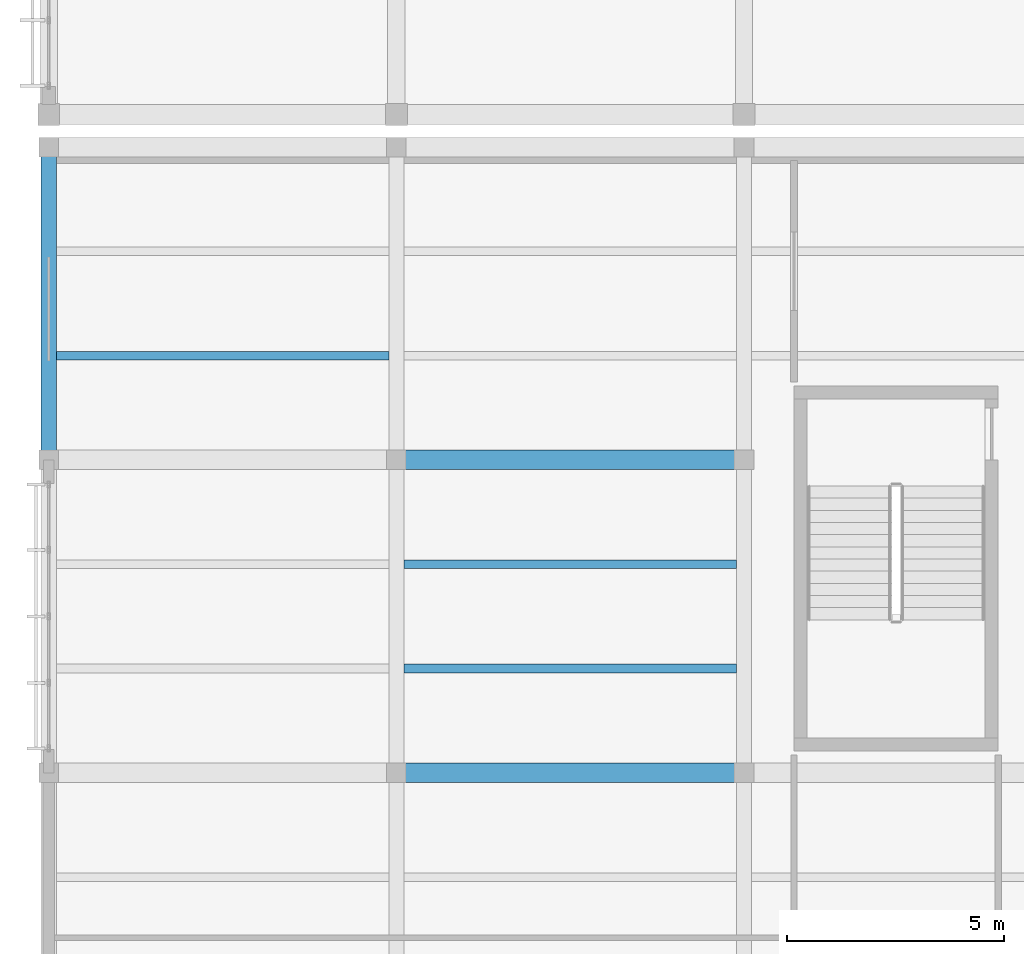
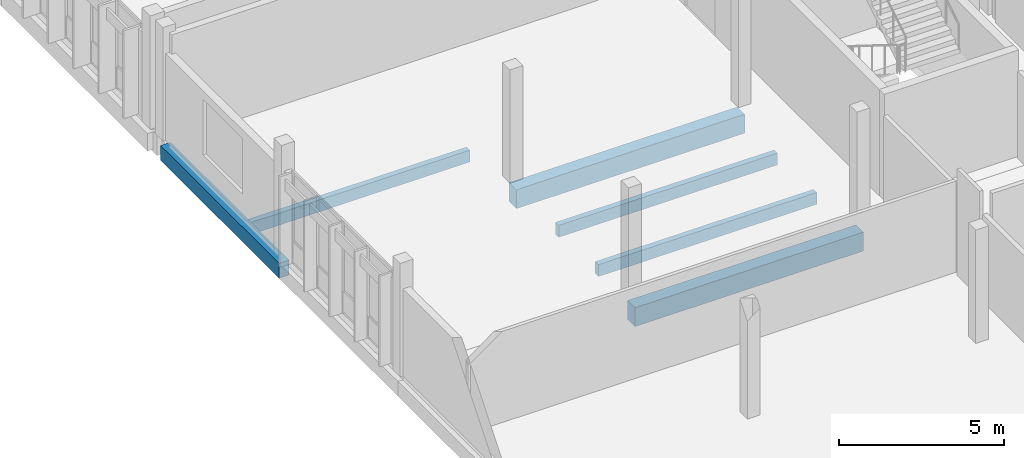
# One storey, part 71 of 182: 6 beams.
"""IFC4 building model written with IfcOpenShell, lengths in metres."""

from ifc_helpers import new_model, si_unit, direction, frame, origin, origin_2d, place, context, subcontext, project, spatial, rectangle, extrude, material, material_profile, profile_set, type_object, element, save


model = new_model("IFC4")

# Units and contexts
model_context = context("Model", 3, precision=1e-05, world=origin(), true_north=direction((0.0, 1.0)))
body_context = subcontext(model_context, "Body", "Model", "MODEL_VIEW")
ifc_project = project(units=[si_unit("LENGTHUNIT", "METRE"), si_unit("AREAUNIT", "SQUARE_METRE"), si_unit("VOLUMEUNIT", "CUBIC_METRE"), si_unit("PLANEANGLEUNIT", "RADIAN"), si_unit("MASSUNIT", "GRAM", prefix="KILO")], contexts=[model_context])

# Site, building, storey
site_placement = place(None, origin())
site = spatial("IfcSite", under=ifc_project, at=site_placement, CompositionType="ELEMENT")
building_placement = place(site_placement, origin())
building = spatial("IfcBuilding", under=site, at=building_placement, Name="Chiffa Square Polytechnic", CompositionType="ELEMENT")
storey_placement = place(building_placement, frame((0.0, 0.0, 9.60009765625)))
storey = spatial("IfcBuildingStorey", under=building, at=storey_placement, Name="L02", CompositionType="ELEMENT", Elevation=9.60009765625)

# Beams
ifc_material_1 = material(Name="Concrete C35/45", Category="concrete")
ifc_material_profile_1 = material_profile(ifc_material_1, rectangle(XDim=0.35009765625, YDim=0.550048828125, at=origin_2d()), Name="RC 350x550")
ifc_profile_set_1 = profile_set([ifc_material_profile_1], Name="Concrete C35/45")
beam_type_1 = type_object("IfcBeamType", Name="BM-RC-350X550", PredefinedType="BEAM", material=ifc_profile_set_1)
beam_placement = place(storey_placement, frame((0.0, 87.0, -0.59521484375), z_axis=(0.0, 1.0, 0.0), x_axis=(-1.0, 0.0, 0.0)))
element("IfcBeam", 1, at=beam_placement, inside=storey, type_object=beam_type_1, Name="Primary floor girder BM-V6-L02-Y-0000-0870", PredefinedType="BEAM", context=body_context, shape_type="SweptSolid", body=[
    extrude(rectangle(XDim=0.35009765625, YDim=0.550048828125, at=origin_2d()), origin(), (0.0, 0.0, 1.0), 7.199951171875),
])
ifc_material_profile_2 = material_profile(ifc_material_1, rectangle(XDim=0.449951171875, YDim=0.699951171875, at=origin_2d()), Name="RC 450x700")
ifc_profile_set_2 = profile_set([ifc_material_profile_2], Name="Concrete C35/45")
beam_type_2 = type_object("IfcBeamType", Name="BM-RC-450X700", PredefinedType="BEAM", material=ifc_profile_set_2)
for number, where, z_axis, x_axis, name in (
    (2, (8.0, 79.800048828125, -0.670166015625), (1.0, 0.0, 0.0), (0.0, 1.0, 0.0), "Primary floor girder BM-V6-L02-X-0080-0798"),
    (3, (8.0, 87.0, -0.670166015625), (1.0, 0.0, 0.0), (0.0, 1.0, 0.0), "Primary floor girder BM-V6-L02-X-0080-0870"),
):
    element("IfcBeam", number, at=place(storey_placement, frame(where, z_axis=z_axis, x_axis=x_axis)), inside=storey, type_object=beam_type_2, Name=name, PredefinedType="BEAM", context=body_context, shape_type="SweptSolid", body=[
        extrude(rectangle(XDim=0.449951171875, YDim=0.699951171875, at=origin_2d()), origin(), (0.0, 0.0, 1.0), 8.0),
    ])
ifc_material_2 = material(Name="Glulam GL28h", Category="wood")
ifc_material_profile_3 = material_profile(ifc_material_2, rectangle(XDim=0.199951171875, YDim=0.43994140625, at=origin_2d()), Name="GL28h 200x440")
ifc_profile_set_3 = profile_set([ifc_material_profile_3], Name="Glulam GL28h")
beam_type_3 = type_object("IfcBeamType", Name="JST-GL-200X440", PredefinedType="JOIST", material=ifc_profile_set_3)
for number, where, z_axis, x_axis, name in (
    (4, (0.173095703125, 89.39990234375, -0.5400390625), (1.0, 0.0, 0.0), (0.0, 1.0, 0.0), "Secondary floor joist JST-V6-L02-0000-0894"),
    (5, (8.173095703125, 82.199951171875, -0.5400390625), (1.0, 0.0, 0.0), (0.0, 1.0, 0.0), "Secondary floor joist JST-V6-L02-0080-0822"),
    (6, (8.173095703125, 84.60009765625, -0.5400390625), (1.0, 0.0, 0.0), (0.0, 1.0, 0.0), "Secondary floor joist JST-V6-L02-0080-0846"),
):
    element("IfcBeam", number, at=place(storey_placement, frame(where, z_axis=z_axis, x_axis=x_axis)), inside=storey, type_object=beam_type_3, Name=name, PredefinedType="JOIST", context=body_context, shape_type="SweptSolid", body=[
        extrude(rectangle(XDim=0.199951171875, YDim=0.43994140625, at=origin_2d()), origin(), (0.0, 0.0, 1.0), 7.65380859375),
    ])

save(model, "model.ifc")
